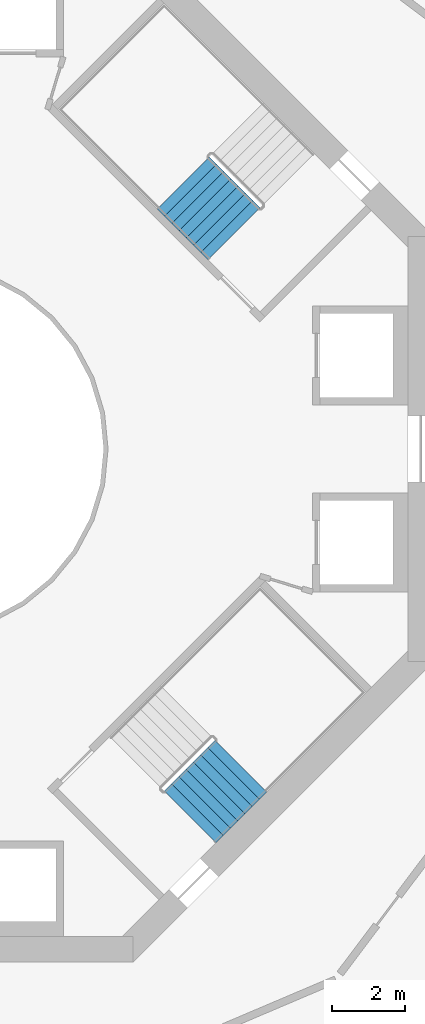
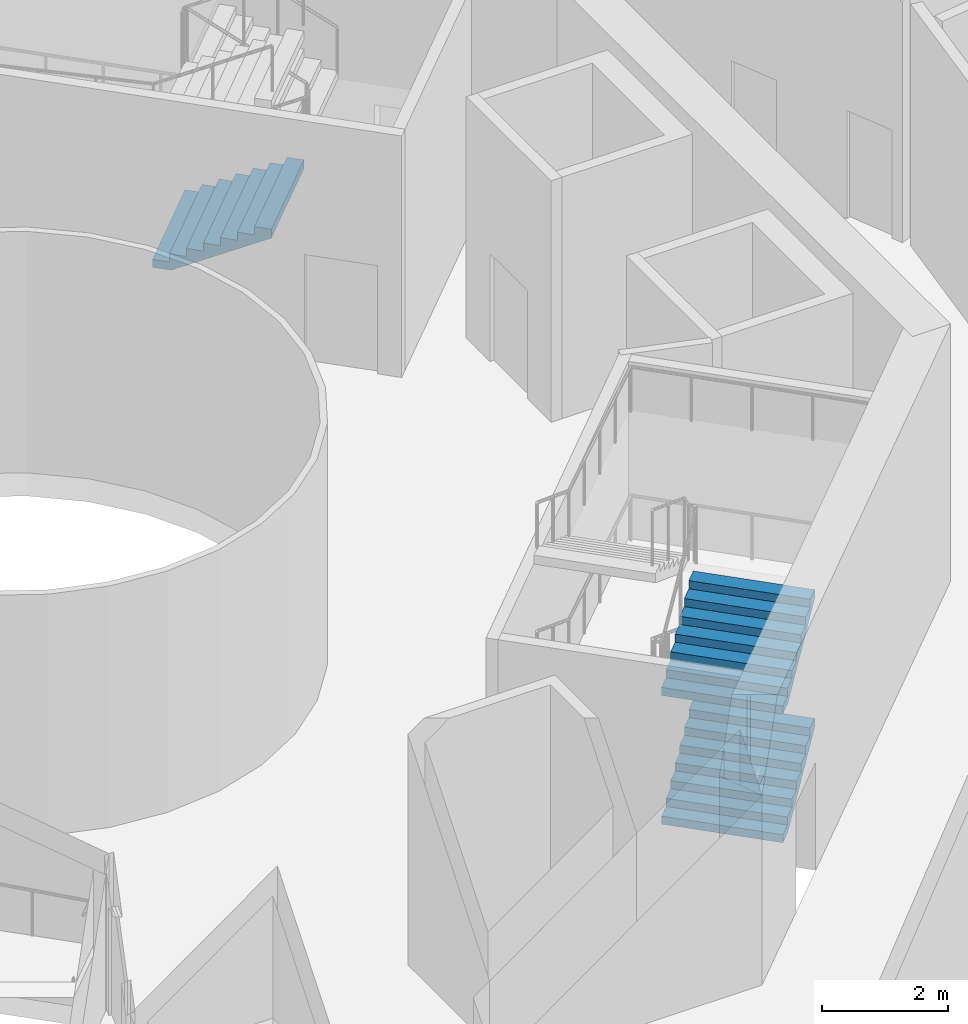
# One storey, part 14 of 17: 3 stair flights, 2 elements without a shape of their own.
"""IFC4 building model written with IfcOpenShell, lengths in metres."""

from ifc_helpers import new_model, si_unit, direction, frame, origin, place, context, subcontext, project, spatial, triangles, material, type_object, element, aggregate, save


model = new_model("IFC4")

# Units and contexts
model_context = context("Model", 3, precision=1e-05, world=origin(), true_north=direction((0.0, 1.0)))
body_context = subcontext(model_context, "Body", "Model", "MODEL_VIEW")
ifc_project = project(units=[si_unit("LENGTHUNIT", "METRE"), si_unit("AREAUNIT", "SQUARE_METRE"), si_unit("VOLUMEUNIT", "CUBIC_METRE"), si_unit("PLANEANGLEUNIT", "RADIAN"), si_unit("MASSUNIT", "GRAM", prefix="KILO")], contexts=[model_context])

# Site, building, storey
site_placement = place(None, origin())
site = spatial("IfcSite", under=ifc_project, at=site_placement, CompositionType="ELEMENT")
building_placement = place(site_placement, origin())
building = spatial("IfcBuilding", under=site, at=building_placement, Name="Verdalira Terraces Hotel", CompositionType="ELEMENT")
storey_placement = place(building_placement, frame((0.0, 0.0, 128.0)))
storey = spatial("IfcBuildingStorey", under=building, at=storey_placement, Name="L30", CompositionType="ELEMENT", Elevation=128.0)

# Stair, stair flight
ifc_material_1 = material(Name="Concrete C40", Category="concrete")
stair_type = type_object("IfcStairType", Name="Core stair 32 risers 2000 mm wide", PredefinedType="HALF_TURN_STAIR", material=ifc_material_1)
stair_1_placement = place(storey_placement, origin())
stair_1 = element("IfcStair", 1, at=stair_1_placement, inside=storey, type_object=stair_type, Name="L30 Exit stair ST1", PredefinedType="HALF_TURN_STAIR")
ifc_material_2 = material(Name="Concrete C40", Category="concrete")
stair_flight_type = type_object("IfcStairFlightType", Name="Core stair flight 32 risers 2000 mm wide", PredefinedType="STRAIGHT", material=ifc_material_2)
stair_flight_1_placement = place(storey_placement, frame((7.170166, 7.254883, 1.25), z_axis=(0.0, 0.0, 1.0), x_axis=(0.707106781, -0.707106781, 0.0)))
stair_flight_1 = element("IfcStairFlight", 2, at=stair_flight_1_placement, type_object=stair_flight_type, Name="ST1 flight 2", NumberOfRisers=8, NumberOfTreads=7, PredefinedType="STRAIGHT", RiserHeight=0.15625, TreadLength=0.28, context=body_context, shape_type="Tessellation", body=[
    triangles([(0.0, 1.0, 0.0), (0.307617, 1.0, 0.0), (1.959961, 1.0, 0.922119), (0.0, -1.0, 0.0), (0.307617, -1.0, 0.0), (1.959961, -1.0, 0.922119), (1.959961, 1.0, 1.09375), (1.679932, 1.0, 1.09375), (1.959961, -1.0, 1.09375), (1.679932, -1.0, 1.09375), (1.679932, 1.0, 0.9375), (1.679932, -1.0, 0.9375), (1.399902, 1.0, 0.9375), (1.399902, -1.0, 0.9375), (1.399902, 1.0, 0.78125), (1.399902, -1.0, 0.78125), (1.120117, 1.0, 0.78125), (1.120117, 1.0, 0.625), (1.120117, -1.0, 0.78125), (1.120117, -1.0, 0.625), (0.840088, 1.0, 0.625), (0.840088, 1.0, 0.46875), (0.840088, -1.0, 0.625), (0.840088, -1.0, 0.46875), (0.560059, 1.0, 0.46875), (0.560059, 1.0, 0.3125), (0.560059, -1.0, 0.46875), (0.560059, -1.0, 0.3125), (0.280029, 1.0, 0.3125), (0.280029, 1.0, 0.15625), (0.280029, -1.0, 0.3125), (0.280029, -1.0, 0.15625), (0.0, 1.0, 0.15625), (0.0, -1.0, 0.15625), (0.0, -0.9375, 0.0), (0.0, -0.9375, 0.15625), (0.0, -0.875, 0.0), (0.0, -0.875, 0.15625), (0.0, -0.8125, 0.0), (0.0, -0.8125, 0.15625), (0.0, -0.75, 0.0), (0.0, -0.75, 0.15625), (0.0, -0.6875, 0.0), (0.0, -0.6875, 0.15625), (0.0, -0.625, 0.0), (0.0, -0.625, 0.15625), (0.0, -0.5625, 0.0), (0.0, -0.5625, 0.15625), (0.0, -0.5, 0.0), (0.0, -0.5, 0.15625), (0.0, -0.4375, 0.0), (0.0, -0.4375, 0.15625), (0.0, -0.375, 0.0), (0.0, -0.375, 0.15625), (0.0, -0.3125, 0.0), (0.0, -0.3125, 0.15625), (0.0, -0.25, 0.0), (0.0, -0.25, 0.15625), (0.0, -0.1875, 0.0), (0.0, -0.1875, 0.15625), (0.0, -0.125, 0.0), (0.0, -0.125, 0.15625), (0.0, -0.0625, 0.0), (0.0, -0.0625, 0.15625), (0.0, 0.0, 0.0), (0.0, 0.0, 0.15625), (0.0, 0.0625, 0.0), (0.0, 0.0625, 0.15625), (0.0, 0.125, 0.0), (0.0, 0.125, 0.15625), (0.0, 0.1875, 0.0), (0.0, 0.1875, 0.15625), (0.0, 0.25, 0.0), (0.0, 0.25, 0.15625), (0.0, 0.3125, 0.0), (0.0, 0.3125, 0.15625), (0.0, 0.375, 0.0), (0.0, 0.375, 0.15625), (0.0, 0.4375, 0.0), (0.0, 0.4375, 0.15625), (0.0, 0.5, 0.0), (0.0, 0.5, 0.15625), (0.0, 0.5625, 0.0), (0.0, 0.5625, 0.15625), (0.0, 0.625, 0.0), (0.0, 0.625, 0.15625), (0.0, 0.6875, 0.0), (0.0, 0.6875, 0.15625), (0.0, 0.75, 0.0), (0.0, 0.75, 0.15625), (0.0, 0.8125, 0.0), (0.0, 0.8125, 0.15625), (0.0, 0.875, 0.0), (0.0, 0.875, 0.15625), (0.0, 0.9375, 0.0), (0.0, 0.9375, 0.15625), (1.959961, -0.9375, 1.09375), (1.959961, -0.875, 1.09375), (1.959961, -0.8125, 1.09375), (1.959961, -0.75, 1.09375), (1.959961, -0.6875, 1.09375), (1.959961, -0.625, 1.09375), (1.959961, -0.5625, 1.09375), (1.959961, -0.5, 1.09375), (1.959961, -0.4375, 1.09375), (1.959961, -0.375, 1.09375), (1.959961, -0.3125, 1.09375), (1.959961, -0.25, 1.09375), (1.959961, -0.1875, 1.09375), (1.959961, -0.125, 1.09375), (1.959961, -0.0625, 1.09375), (1.959961, 0.0, 1.09375), (1.959961, 0.0625, 1.09375), (1.959961, 0.125, 1.09375), (1.959961, 0.1875, 1.09375), (1.959961, 0.25, 1.09375), (1.959961, 0.3125, 1.09375), (1.959961, 0.375, 1.09375), (1.959961, 0.4375, 1.09375), (1.959961, 0.5, 1.09375), (1.959961, 0.5625, 1.09375), (1.959961, 0.625, 1.09375), (1.959961, 0.6875, 1.09375), (1.959961, 0.75, 1.09375), (1.959961, 0.8125, 1.09375), (1.959961, 0.875, 1.09375), (1.959961, 0.9375, 1.09375), (1.959961, -0.9375, 0.922119), (1.959961, -0.875, 0.922119), (1.959961, -0.8125, 0.922119), (1.959961, -0.75, 0.922119), (1.959961, -0.6875, 0.922119), (1.959961, -0.625, 0.922119), (1.959961, -0.5625, 0.922119), (1.959961, -0.5, 0.922119), (1.959961, -0.4375, 0.922119), (1.959961, -0.375, 0.922119), (1.959961, -0.3125, 0.922119), (1.959961, -0.25, 0.922119), (1.959961, -0.1875, 0.922119), (1.959961, -0.125, 0.922119), (1.959961, -0.0625, 0.922119), (1.959961, 0.0, 0.922119), (1.959961, 0.0625, 0.922119), (1.959961, 0.125, 0.922119), (1.959961, 0.1875, 0.922119), (1.959961, 0.25, 0.922119), (1.959961, 0.3125, 0.922119), (1.959961, 0.375, 0.922119), (1.959961, 0.4375, 0.922119), (1.959961, 0.5, 0.922119), (1.959961, 0.5625, 0.922119), (1.959961, 0.625, 0.922119), (1.959961, 0.6875, 0.922119), (1.959961, 0.75, 0.922119), (1.959961, 0.8125, 0.922119), (1.959961, 0.875, 0.922119), (1.959961, 0.9375, 0.922119)], [[1, 3, 2], [4, 5, 6], [3, 8, 7], [6, 9, 10], [3, 11, 8], [6, 10, 12], [3, 13, 11], [6, 12, 14], [3, 15, 13], [6, 14, 16], [15, 18, 17], [16, 19, 20], [3, 18, 15], [6, 16, 20], [18, 22, 21], [20, 23, 24], [3, 22, 18], [6, 20, 24], [22, 26, 25], [24, 27, 28], [3, 26, 22], [6, 24, 28], [26, 30, 29], [28, 31, 32], [3, 30, 26], [6, 28, 32], [1, 30, 3], [4, 6, 32], [30, 1, 33], [32, 34, 4], [4, 36, 35], [4, 34, 36], [35, 38, 37], [35, 36, 38], [37, 40, 39], [37, 38, 40], [39, 42, 41], [39, 40, 42], [41, 44, 43], [41, 42, 44], [43, 46, 45], [43, 44, 46], [45, 48, 47], [45, 46, 48], [47, 50, 49], [47, 48, 50], [49, 52, 51], [49, 50, 52], [51, 54, 53], [51, 52, 54], [53, 56, 55], [53, 54, 56], [55, 58, 57], [55, 56, 58], [57, 60, 59], [57, 58, 60], [59, 62, 61], [59, 60, 62], [61, 64, 63], [61, 62, 64], [63, 66, 65], [63, 64, 66], [65, 68, 67], [65, 66, 68], [67, 70, 69], [67, 68, 70], [69, 72, 71], [69, 70, 72], [71, 74, 73], [71, 72, 74], [73, 76, 75], [73, 74, 76], [75, 78, 77], [75, 76, 78], [77, 80, 79], [77, 78, 80], [79, 82, 81], [79, 80, 82], [81, 84, 83], [81, 82, 84], [83, 86, 85], [83, 84, 86], [85, 88, 87], [85, 86, 88], [87, 90, 89], [87, 88, 90], [89, 92, 91], [89, 90, 92], [91, 94, 93], [91, 92, 94], [93, 96, 95], [93, 94, 96], [95, 33, 1], [95, 96, 33], [34, 32, 36], [36, 32, 38], [38, 32, 40], [40, 32, 42], [42, 32, 44], [44, 32, 46], [46, 32, 48], [48, 32, 50], [50, 32, 52], [52, 32, 54], [54, 32, 56], [56, 32, 58], [58, 32, 60], [60, 32, 62], [62, 32, 64], [64, 32, 66], [66, 32, 68], [68, 32, 70], [70, 32, 72], [72, 32, 74], [74, 32, 76], [76, 32, 78], [78, 32, 80], [80, 32, 82], [82, 32, 84], [84, 32, 86], [86, 32, 88], [88, 32, 90], [90, 32, 92], [92, 32, 94], [94, 32, 96], [96, 32, 33], [33, 32, 30], [32, 29, 30], [32, 31, 29], [31, 26, 29], [31, 28, 26], [28, 25, 26], [28, 27, 25], [27, 22, 25], [27, 24, 22], [24, 21, 22], [24, 23, 21], [23, 18, 21], [23, 20, 18], [20, 17, 18], [20, 19, 17], [19, 15, 17], [19, 16, 15], [16, 13, 15], [16, 14, 13], [14, 11, 13], [14, 12, 11], [12, 8, 11], [12, 10, 8], [9, 97, 10], [97, 98, 10], [98, 99, 10], [99, 100, 10], [100, 101, 10], [101, 102, 10], [102, 103, 10], [103, 104, 10], [104, 105, 10], [105, 106, 10], [106, 107, 10], [107, 108, 10], [108, 109, 10], [109, 110, 10], [110, 111, 10], [111, 112, 10], [112, 113, 10], [113, 114, 10], [114, 115, 10], [115, 116, 10], [116, 117, 10], [117, 118, 10], [118, 119, 10], [119, 120, 10], [120, 121, 10], [121, 122, 10], [122, 123, 10], [123, 124, 10], [124, 125, 10], [125, 126, 10], [126, 127, 10], [127, 7, 10], [7, 8, 10], [9, 128, 97], [9, 6, 128], [97, 129, 98], [97, 128, 129], [98, 130, 99], [98, 129, 130], [99, 131, 100], [99, 130, 131], [100, 132, 101], [100, 131, 132], [101, 133, 102], [101, 132, 133], [102, 134, 103], [102, 133, 134], [103, 135, 104], [103, 134, 135], [104, 136, 105], [104, 135, 136], [105, 137, 106], [105, 136, 137], [106, 138, 107], [106, 137, 138], [107, 139, 108], [107, 138, 139], [108, 140, 109], [108, 139, 140], [109, 141, 110], [109, 140, 141], [110, 142, 111], [110, 141, 142], [111, 143, 112], [111, 142, 143], [112, 144, 113], [112, 143, 144], [113, 145, 114], [113, 144, 145], [114, 146, 115], [114, 145, 146], [115, 147, 116], [115, 146, 147], [116, 148, 117], [116, 147, 148], [117, 149, 118], [117, 148, 149], [118, 150, 119], [118, 149, 150], [119, 151, 120], [119, 150, 151], [120, 152, 121], [120, 151, 152], [121, 153, 122], [121, 152, 153], [122, 154, 123], [122, 153, 154], [123, 155, 124], [123, 154, 155], [124, 156, 125], [124, 155, 156], [125, 157, 126], [125, 156, 157], [126, 158, 127], [126, 157, 158], [127, 3, 7], [127, 158, 3], [6, 5, 128], [128, 5, 129], [129, 5, 130], [130, 5, 131], [131, 5, 132], [132, 5, 133], [133, 5, 134], [134, 5, 135], [135, 5, 136], [136, 5, 137], [137, 5, 138], [138, 5, 139], [139, 5, 140], [140, 5, 141], [141, 5, 142], [142, 5, 143], [143, 5, 144], [144, 5, 145], [145, 5, 146], [146, 5, 147], [147, 5, 148], [148, 5, 149], [149, 5, 150], [150, 5, 151], [151, 5, 152], [152, 5, 153], [153, 5, 154], [154, 5, 155], [155, 5, 156], [156, 5, 157], [157, 5, 158], [158, 5, 3], [3, 5, 2], [4, 35, 5], [35, 37, 5], [37, 39, 5], [39, 41, 5], [41, 43, 5], [43, 45, 5], [45, 47, 5], [47, 49, 5], [49, 51, 5], [51, 53, 5], [53, 55, 5], [55, 57, 5], [57, 59, 5], [59, 61, 5], [61, 63, 5], [63, 65, 5], [65, 67, 5], [67, 69, 5], [69, 71, 5], [71, 73, 5], [73, 75, 5], [75, 77, 5], [77, 79, 5], [79, 81, 5], [81, 83, 5], [83, 85, 5], [85, 87, 5], [87, 89, 5], [89, 91, 5], [91, 93, 5], [93, 95, 5], [95, 1, 5], [1, 2, 5]], closed=True),
])
aggregate(stair_1, [stair_flight_1])

# Stair, stair flights
stair_2_placement = place(storey_placement, origin())
stair_2 = element("IfcStair", 3, at=stair_2_placement, inside=storey, type_object=stair_type, Name="L30 Exit stair ST3", PredefinedType="HALF_TURN_STAIR")
stair_flight_2_placement = place(storey_placement, frame((7.354004, -10.041016, 0.0), z_axis=(0.0, 0.0, 1.0), x_axis=(0.707106781, 0.707106781, 0.0)))
stair_flight_2 = element("IfcStairFlight", 4, at=stair_flight_2_placement, type_object=stair_flight_type, Name="ST3 flight 1", NumberOfRisers=8, NumberOfTreads=7, PredefinedType="STRAIGHT", RiserHeight=0.15625, TreadLength=0.28, context=body_context, shape_type="Tessellation", body=[
    triangles([(0.0, 1.0, 0.0), (0.307617, 1.0, 0.0), (1.959961, 1.0, 0.922119), (0.0, -1.0, 0.0), (0.307617, -1.0, 0.0), (1.959961, -1.0, 0.922119), (1.959961, 1.0, 1.09375), (1.679932, 1.0, 1.09375), (1.959961, -1.0, 1.09375), (1.679932, -1.0, 1.09375), (1.679932, 1.0, 0.9375), (1.679932, -1.0, 0.9375), (1.399902, 1.0, 0.9375), (1.399902, -1.0, 0.9375), (1.399902, 1.0, 0.78125), (1.399902, -1.0, 0.78125), (1.120117, 1.0, 0.78125), (1.120117, 1.0, 0.625), (1.120117, -1.0, 0.78125), (1.120117, -1.0, 0.625), (0.840088, 1.0, 0.625), (0.840088, 1.0, 0.46875), (0.840088, -1.0, 0.625), (0.840088, -1.0, 0.46875), (0.560059, 1.0, 0.46875), (0.560059, 1.0, 0.3125), (0.560059, -1.0, 0.46875), (0.560059, -1.0, 0.3125), (0.280029, 1.0, 0.3125), (0.280029, 1.0, 0.15625), (0.280029, -1.0, 0.3125), (0.280029, -1.0, 0.15625), (0.0, 1.0, 0.15625), (0.0, -1.0, 0.15625), (0.0, -0.9375, 0.0), (0.0, -0.9375, 0.15625), (0.0, -0.875, 0.0), (0.0, -0.875, 0.15625), (0.0, -0.8125, 0.0), (0.0, -0.8125, 0.15625), (0.0, -0.75, 0.0), (0.0, -0.75, 0.15625), (0.0, -0.6875, 0.0), (0.0, -0.6875, 0.15625), (0.0, -0.625, 0.0), (0.0, -0.625, 0.15625), (0.0, -0.5625, 0.0), (0.0, -0.5625, 0.15625), (0.0, -0.5, 0.0), (0.0, -0.5, 0.15625), (0.0, -0.4375, 0.0), (0.0, -0.4375, 0.15625), (0.0, -0.375, 0.0), (0.0, -0.375, 0.15625), (0.0, -0.3125, 0.0), (0.0, -0.3125, 0.15625), (0.0, -0.25, 0.0), (0.0, -0.25, 0.15625), (0.0, -0.1875, 0.0), (0.0, -0.1875, 0.15625), (0.0, -0.125, 0.0), (0.0, -0.125, 0.15625), (0.0, -0.0625, 0.0), (0.0, -0.0625, 0.15625), (0.0, 0.0, 0.0), (0.0, 0.0, 0.15625), (0.0, 0.0625, 0.0), (0.0, 0.0625, 0.15625), (0.0, 0.125, 0.0), (0.0, 0.125, 0.15625), (0.0, 0.1875, 0.0), (0.0, 0.1875, 0.15625), (0.0, 0.25, 0.0), (0.0, 0.25, 0.15625), (0.0, 0.3125, 0.0), (0.0, 0.3125, 0.15625), (0.0, 0.375, 0.0), (0.0, 0.375, 0.15625), (0.0, 0.4375, 0.0), (0.0, 0.4375, 0.15625), (0.0, 0.5, 0.0), (0.0, 0.5, 0.15625), (0.0, 0.5625, 0.0), (0.0, 0.5625, 0.15625), (0.0, 0.625, 0.0), (0.0, 0.625, 0.15625), (0.0, 0.6875, 0.0), (0.0, 0.6875, 0.15625), (0.0, 0.75, 0.0), (0.0, 0.75, 0.15625), (0.0, 0.8125, 0.0), (0.0, 0.8125, 0.15625), (0.0, 0.875, 0.0), (0.0, 0.875, 0.15625), (0.0, 0.9375, 0.0), (0.0, 0.9375, 0.15625), (1.959961, -0.9375, 1.09375), (1.959961, -0.875, 1.09375), (1.959961, -0.8125, 1.09375), (1.959961, -0.75, 1.09375), (1.959961, -0.6875, 1.09375), (1.959961, -0.625, 1.09375), (1.959961, -0.5625, 1.09375), (1.959961, -0.5, 1.09375), (1.959961, -0.4375, 1.09375), (1.959961, -0.375, 1.09375), (1.959961, -0.3125, 1.09375), (1.959961, -0.25, 1.09375), (1.959961, -0.1875, 1.09375), (1.959961, -0.125, 1.09375), (1.959961, -0.0625, 1.09375), (1.959961, 0.0, 1.09375), (1.959961, 0.0625, 1.09375), (1.959961, 0.125, 1.09375), (1.959961, 0.1875, 1.09375), (1.959961, 0.25, 1.09375), (1.959961, 0.3125, 1.09375), (1.959961, 0.375, 1.09375), (1.959961, 0.4375, 1.09375), (1.959961, 0.5, 1.09375), (1.959961, 0.5625, 1.09375), (1.959961, 0.625, 1.09375), (1.959961, 0.6875, 1.09375), (1.959961, 0.75, 1.09375), (1.959961, 0.8125, 1.09375), (1.959961, 0.875, 1.09375), (1.959961, 0.9375, 1.09375), (1.959961, -0.9375, 0.922119), (1.959961, -0.875, 0.922119), (1.959961, -0.8125, 0.922119), (1.959961, -0.75, 0.922119), (1.959961, -0.6875, 0.922119), (1.959961, -0.625, 0.922119), (1.959961, -0.5625, 0.922119), (1.959961, -0.5, 0.922119), (1.959961, -0.4375, 0.922119), (1.959961, -0.375, 0.922119), (1.959961, -0.3125, 0.922119), (1.959961, -0.25, 0.922119), (1.959961, -0.1875, 0.922119), (1.959961, -0.125, 0.922119), (1.959961, -0.0625, 0.922119), (1.959961, 0.0, 0.922119), (1.959961, 0.0625, 0.922119), (1.959961, 0.125, 0.922119), (1.959961, 0.1875, 0.922119), (1.959961, 0.25, 0.922119), (1.959961, 0.3125, 0.922119), (1.959961, 0.375, 0.922119), (1.959961, 0.4375, 0.922119), (1.959961, 0.5, 0.922119), (1.959961, 0.5625, 0.922119), (1.959961, 0.625, 0.922119), (1.959961, 0.6875, 0.922119), (1.959961, 0.75, 0.922119), (1.959961, 0.8125, 0.922119), (1.959961, 0.875, 0.922119), (1.959961, 0.9375, 0.922119)], [[1, 3, 2], [4, 5, 6], [3, 8, 7], [6, 9, 10], [3, 11, 8], [6, 10, 12], [3, 13, 11], [6, 12, 14], [3, 15, 13], [6, 14, 16], [15, 18, 17], [16, 19, 20], [3, 18, 15], [6, 16, 20], [18, 22, 21], [20, 23, 24], [3, 22, 18], [6, 20, 24], [22, 26, 25], [24, 27, 28], [3, 26, 22], [6, 24, 28], [26, 30, 29], [28, 31, 32], [3, 30, 26], [6, 28, 32], [1, 30, 3], [4, 6, 32], [30, 1, 33], [32, 34, 4], [4, 36, 35], [4, 34, 36], [35, 38, 37], [35, 36, 38], [37, 40, 39], [37, 38, 40], [39, 42, 41], [39, 40, 42], [41, 44, 43], [41, 42, 44], [43, 46, 45], [43, 44, 46], [45, 48, 47], [45, 46, 48], [47, 50, 49], [47, 48, 50], [49, 52, 51], [49, 50, 52], [51, 54, 53], [51, 52, 54], [53, 56, 55], [53, 54, 56], [55, 58, 57], [55, 56, 58], [57, 60, 59], [57, 58, 60], [59, 62, 61], [59, 60, 62], [61, 64, 63], [61, 62, 64], [63, 66, 65], [63, 64, 66], [65, 68, 67], [65, 66, 68], [67, 70, 69], [67, 68, 70], [69, 72, 71], [69, 70, 72], [71, 74, 73], [71, 72, 74], [73, 76, 75], [73, 74, 76], [75, 78, 77], [75, 76, 78], [77, 80, 79], [77, 78, 80], [79, 82, 81], [79, 80, 82], [81, 84, 83], [81, 82, 84], [83, 86, 85], [83, 84, 86], [85, 88, 87], [85, 86, 88], [87, 90, 89], [87, 88, 90], [89, 92, 91], [89, 90, 92], [91, 94, 93], [91, 92, 94], [93, 96, 95], [93, 94, 96], [95, 33, 1], [95, 96, 33], [34, 32, 36], [36, 32, 38], [38, 32, 40], [40, 32, 42], [42, 32, 44], [44, 32, 46], [46, 32, 48], [48, 32, 50], [50, 32, 52], [52, 32, 54], [54, 32, 56], [56, 32, 58], [58, 32, 60], [60, 32, 62], [62, 32, 64], [64, 32, 66], [66, 32, 68], [68, 32, 70], [70, 32, 72], [72, 32, 74], [74, 32, 76], [76, 32, 78], [78, 32, 80], [80, 32, 82], [82, 32, 84], [84, 32, 86], [86, 32, 88], [88, 32, 90], [90, 32, 92], [92, 32, 94], [94, 32, 96], [96, 32, 33], [33, 32, 30], [32, 29, 30], [32, 31, 29], [31, 26, 29], [31, 28, 26], [28, 25, 26], [28, 27, 25], [27, 22, 25], [27, 24, 22], [24, 21, 22], [24, 23, 21], [23, 18, 21], [23, 20, 18], [20, 17, 18], [20, 19, 17], [19, 15, 17], [19, 16, 15], [16, 13, 15], [16, 14, 13], [14, 11, 13], [14, 12, 11], [12, 8, 11], [12, 10, 8], [9, 97, 10], [97, 98, 10], [98, 99, 10], [99, 100, 10], [100, 101, 10], [101, 102, 10], [102, 103, 10], [103, 104, 10], [104, 105, 10], [105, 106, 10], [106, 107, 10], [107, 108, 10], [108, 109, 10], [109, 110, 10], [110, 111, 10], [111, 112, 10], [112, 113, 10], [113, 114, 10], [114, 115, 10], [115, 116, 10], [116, 117, 10], [117, 118, 10], [118, 119, 10], [119, 120, 10], [120, 121, 10], [121, 122, 10], [122, 123, 10], [123, 124, 10], [124, 125, 10], [125, 126, 10], [126, 127, 10], [127, 7, 10], [7, 8, 10], [9, 128, 97], [9, 6, 128], [97, 129, 98], [97, 128, 129], [98, 130, 99], [98, 129, 130], [99, 131, 100], [99, 130, 131], [100, 132, 101], [100, 131, 132], [101, 133, 102], [101, 132, 133], [102, 134, 103], [102, 133, 134], [103, 135, 104], [103, 134, 135], [104, 136, 105], [104, 135, 136], [105, 137, 106], [105, 136, 137], [106, 138, 107], [106, 137, 138], [107, 139, 108], [107, 138, 139], [108, 140, 109], [108, 139, 140], [109, 141, 110], [109, 140, 141], [110, 142, 111], [110, 141, 142], [111, 143, 112], [111, 142, 143], [112, 144, 113], [112, 143, 144], [113, 145, 114], [113, 144, 145], [114, 146, 115], [114, 145, 146], [115, 147, 116], [115, 146, 147], [116, 148, 117], [116, 147, 148], [117, 149, 118], [117, 148, 149], [118, 150, 119], [118, 149, 150], [119, 151, 120], [119, 150, 151], [120, 152, 121], [120, 151, 152], [121, 153, 122], [121, 152, 153], [122, 154, 123], [122, 153, 154], [123, 155, 124], [123, 154, 155], [124, 156, 125], [124, 155, 156], [125, 157, 126], [125, 156, 157], [126, 158, 127], [126, 157, 158], [127, 3, 7], [127, 158, 3], [6, 5, 128], [128, 5, 129], [129, 5, 130], [130, 5, 131], [131, 5, 132], [132, 5, 133], [133, 5, 134], [134, 5, 135], [135, 5, 136], [136, 5, 137], [137, 5, 138], [138, 5, 139], [139, 5, 140], [140, 5, 141], [141, 5, 142], [142, 5, 143], [143, 5, 144], [144, 5, 145], [145, 5, 146], [146, 5, 147], [147, 5, 148], [148, 5, 149], [149, 5, 150], [150, 5, 151], [151, 5, 152], [152, 5, 153], [153, 5, 154], [154, 5, 155], [155, 5, 156], [156, 5, 157], [157, 5, 158], [158, 5, 3], [3, 5, 2], [4, 35, 5], [35, 37, 5], [37, 39, 5], [39, 41, 5], [41, 43, 5], [43, 45, 5], [45, 47, 5], [47, 49, 5], [49, 51, 5], [51, 53, 5], [53, 55, 5], [55, 57, 5], [57, 59, 5], [59, 61, 5], [61, 63, 5], [63, 65, 5], [65, 67, 5], [67, 69, 5], [69, 71, 5], [71, 73, 5], [73, 75, 5], [75, 77, 5], [77, 79, 5], [79, 81, 5], [81, 83, 5], [83, 85, 5], [85, 87, 5], [87, 89, 5], [89, 91, 5], [91, 93, 5], [93, 95, 5], [95, 1, 5], [1, 2, 5]], closed=True),
])
stair_flight_3_placement = place(storey_placement, frame((7.354004, -10.041016, 2.5), z_axis=(0.0, 0.0, 1.0), x_axis=(0.707106781, 0.707106781, 0.0)))
stair_flight_3 = element("IfcStairFlight", 5, at=stair_flight_3_placement, type_object=stair_flight_type, Name="ST3 flight 3", NumberOfRisers=8, NumberOfTreads=7, PredefinedType="STRAIGHT", RiserHeight=0.15625, TreadLength=0.28, context=body_context, shape_type="Tessellation", body=[
    triangles([(0.0, 1.0, 0.0), (0.307617, 1.0, 0.0), (1.959961, 1.0, 0.922119), (0.0, -1.0, 0.0), (0.307617, -1.0, 0.0), (1.959961, -1.0, 0.922119), (1.959961, 1.0, 1.09375), (1.679932, 1.0, 1.09375), (1.959961, -1.0, 1.09375), (1.679932, -1.0, 1.09375), (1.679932, 1.0, 0.9375), (1.679932, -1.0, 0.9375), (1.399902, 1.0, 0.9375), (1.399902, -1.0, 0.9375), (1.399902, 1.0, 0.78125), (1.399902, -1.0, 0.78125), (1.120117, 1.0, 0.78125), (1.120117, 1.0, 0.625), (1.120117, -1.0, 0.78125), (1.120117, -1.0, 0.625), (0.840088, 1.0, 0.625), (0.840088, 1.0, 0.46875), (0.840088, -1.0, 0.625), (0.840088, -1.0, 0.46875), (0.560059, 1.0, 0.46875), (0.560059, 1.0, 0.3125), (0.560059, -1.0, 0.46875), (0.560059, -1.0, 0.3125), (0.280029, 1.0, 0.3125), (0.280029, 1.0, 0.15625), (0.280029, -1.0, 0.3125), (0.280029, -1.0, 0.15625), (0.0, 1.0, 0.15625), (0.0, -1.0, 0.15625), (0.0, -0.9375, 0.0), (0.0, -0.9375, 0.15625), (0.0, -0.875, 0.0), (0.0, -0.875, 0.15625), (0.0, -0.8125, 0.0), (0.0, -0.8125, 0.15625), (0.0, -0.75, 0.0), (0.0, -0.75, 0.15625), (0.0, -0.6875, 0.0), (0.0, -0.6875, 0.15625), (0.0, -0.625, 0.0), (0.0, -0.625, 0.15625), (0.0, -0.5625, 0.0), (0.0, -0.5625, 0.15625), (0.0, -0.5, 0.0), (0.0, -0.5, 0.15625), (0.0, -0.4375, 0.0), (0.0, -0.4375, 0.15625), (0.0, -0.375, 0.0), (0.0, -0.375, 0.15625), (0.0, -0.3125, 0.0), (0.0, -0.3125, 0.15625), (0.0, -0.25, 0.0), (0.0, -0.25, 0.15625), (0.0, -0.1875, 0.0), (0.0, -0.1875, 0.15625), (0.0, -0.125, 0.0), (0.0, -0.125, 0.15625), (0.0, -0.0625, 0.0), (0.0, -0.0625, 0.15625), (0.0, 0.0, 0.0), (0.0, 0.0, 0.15625), (0.0, 0.0625, 0.0), (0.0, 0.0625, 0.15625), (0.0, 0.125, 0.0), (0.0, 0.125, 0.15625), (0.0, 0.1875, 0.0), (0.0, 0.1875, 0.15625), (0.0, 0.25, 0.0), (0.0, 0.25, 0.15625), (0.0, 0.3125, 0.0), (0.0, 0.3125, 0.15625), (0.0, 0.375, 0.0), (0.0, 0.375, 0.15625), (0.0, 0.4375, 0.0), (0.0, 0.4375, 0.15625), (0.0, 0.5, 0.0), (0.0, 0.5, 0.15625), (0.0, 0.5625, 0.0), (0.0, 0.5625, 0.15625), (0.0, 0.625, 0.0), (0.0, 0.625, 0.15625), (0.0, 0.6875, 0.0), (0.0, 0.6875, 0.15625), (0.0, 0.75, 0.0), (0.0, 0.75, 0.15625), (0.0, 0.8125, 0.0), (0.0, 0.8125, 0.15625), (0.0, 0.875, 0.0), (0.0, 0.875, 0.15625), (0.0, 0.9375, 0.0), (0.0, 0.9375, 0.15625), (1.959961, -0.9375, 1.09375), (1.959961, -0.875, 1.09375), (1.959961, -0.8125, 1.09375), (1.959961, -0.75, 1.09375), (1.959961, -0.6875, 1.09375), (1.959961, -0.625, 1.09375), (1.959961, -0.5625, 1.09375), (1.959961, -0.5, 1.09375), (1.959961, -0.4375, 1.09375), (1.959961, -0.375, 1.09375), (1.959961, -0.3125, 1.09375), (1.959961, -0.25, 1.09375), (1.959961, -0.1875, 1.09375), (1.959961, -0.125, 1.09375), (1.959961, -0.0625, 1.09375), (1.959961, 0.0, 1.09375), (1.959961, 0.0625, 1.09375), (1.959961, 0.125, 1.09375), (1.959961, 0.1875, 1.09375), (1.959961, 0.25, 1.09375), (1.959961, 0.3125, 1.09375), (1.959961, 0.375, 1.09375), (1.959961, 0.4375, 1.09375), (1.959961, 0.5, 1.09375), (1.959961, 0.5625, 1.09375), (1.959961, 0.625, 1.09375), (1.959961, 0.6875, 1.09375), (1.959961, 0.75, 1.09375), (1.959961, 0.8125, 1.09375), (1.959961, 0.875, 1.09375), (1.959961, 0.9375, 1.09375), (1.959961, -0.9375, 0.922119), (1.959961, -0.875, 0.922119), (1.959961, -0.8125, 0.922119), (1.959961, -0.75, 0.922119), (1.959961, -0.6875, 0.922119), (1.959961, -0.625, 0.922119), (1.959961, -0.5625, 0.922119), (1.959961, -0.5, 0.922119), (1.959961, -0.4375, 0.922119), (1.959961, -0.375, 0.922119), (1.959961, -0.3125, 0.922119), (1.959961, -0.25, 0.922119), (1.959961, -0.1875, 0.922119), (1.959961, -0.125, 0.922119), (1.959961, -0.0625, 0.922119), (1.959961, 0.0, 0.922119), (1.959961, 0.0625, 0.922119), (1.959961, 0.125, 0.922119), (1.959961, 0.1875, 0.922119), (1.959961, 0.25, 0.922119), (1.959961, 0.3125, 0.922119), (1.959961, 0.375, 0.922119), (1.959961, 0.4375, 0.922119), (1.959961, 0.5, 0.922119), (1.959961, 0.5625, 0.922119), (1.959961, 0.625, 0.922119), (1.959961, 0.6875, 0.922119), (1.959961, 0.75, 0.922119), (1.959961, 0.8125, 0.922119), (1.959961, 0.875, 0.922119), (1.959961, 0.9375, 0.922119)], [[1, 3, 2], [4, 5, 6], [3, 8, 7], [6, 9, 10], [3, 11, 8], [6, 10, 12], [3, 13, 11], [6, 12, 14], [3, 15, 13], [6, 14, 16], [15, 18, 17], [16, 19, 20], [3, 18, 15], [6, 16, 20], [18, 22, 21], [20, 23, 24], [3, 22, 18], [6, 20, 24], [22, 26, 25], [24, 27, 28], [3, 26, 22], [6, 24, 28], [26, 30, 29], [28, 31, 32], [3, 30, 26], [6, 28, 32], [1, 30, 3], [4, 6, 32], [30, 1, 33], [32, 34, 4], [4, 36, 35], [4, 34, 36], [35, 38, 37], [35, 36, 38], [37, 40, 39], [37, 38, 40], [39, 42, 41], [39, 40, 42], [41, 44, 43], [41, 42, 44], [43, 46, 45], [43, 44, 46], [45, 48, 47], [45, 46, 48], [47, 50, 49], [47, 48, 50], [49, 52, 51], [49, 50, 52], [51, 54, 53], [51, 52, 54], [53, 56, 55], [53, 54, 56], [55, 58, 57], [55, 56, 58], [57, 60, 59], [57, 58, 60], [59, 62, 61], [59, 60, 62], [61, 64, 63], [61, 62, 64], [63, 66, 65], [63, 64, 66], [65, 68, 67], [65, 66, 68], [67, 70, 69], [67, 68, 70], [69, 72, 71], [69, 70, 72], [71, 74, 73], [71, 72, 74], [73, 76, 75], [73, 74, 76], [75, 78, 77], [75, 76, 78], [77, 80, 79], [77, 78, 80], [79, 82, 81], [79, 80, 82], [81, 84, 83], [81, 82, 84], [83, 86, 85], [83, 84, 86], [85, 88, 87], [85, 86, 88], [87, 90, 89], [87, 88, 90], [89, 92, 91], [89, 90, 92], [91, 94, 93], [91, 92, 94], [93, 96, 95], [93, 94, 96], [95, 33, 1], [95, 96, 33], [34, 32, 36], [36, 32, 38], [38, 32, 40], [40, 32, 42], [42, 32, 44], [44, 32, 46], [46, 32, 48], [48, 32, 50], [50, 32, 52], [52, 32, 54], [54, 32, 56], [56, 32, 58], [58, 32, 60], [60, 32, 62], [62, 32, 64], [64, 32, 66], [66, 32, 68], [68, 32, 70], [70, 32, 72], [72, 32, 74], [74, 32, 76], [76, 32, 78], [78, 32, 80], [80, 32, 82], [82, 32, 84], [84, 32, 86], [86, 32, 88], [88, 32, 90], [90, 32, 92], [92, 32, 94], [94, 32, 96], [96, 32, 33], [33, 32, 30], [32, 29, 30], [32, 31, 29], [31, 26, 29], [31, 28, 26], [28, 25, 26], [28, 27, 25], [27, 22, 25], [27, 24, 22], [24, 21, 22], [24, 23, 21], [23, 18, 21], [23, 20, 18], [20, 17, 18], [20, 19, 17], [19, 15, 17], [19, 16, 15], [16, 13, 15], [16, 14, 13], [14, 11, 13], [14, 12, 11], [12, 8, 11], [12, 10, 8], [9, 97, 10], [97, 98, 10], [98, 99, 10], [99, 100, 10], [100, 101, 10], [101, 102, 10], [102, 103, 10], [103, 104, 10], [104, 105, 10], [105, 106, 10], [106, 107, 10], [107, 108, 10], [108, 109, 10], [109, 110, 10], [110, 111, 10], [111, 112, 10], [112, 113, 10], [113, 114, 10], [114, 115, 10], [115, 116, 10], [116, 117, 10], [117, 118, 10], [118, 119, 10], [119, 120, 10], [120, 121, 10], [121, 122, 10], [122, 123, 10], [123, 124, 10], [124, 125, 10], [125, 126, 10], [126, 127, 10], [127, 7, 10], [7, 8, 10], [9, 128, 97], [9, 6, 128], [97, 129, 98], [97, 128, 129], [98, 130, 99], [98, 129, 130], [99, 131, 100], [99, 130, 131], [100, 132, 101], [100, 131, 132], [101, 133, 102], [101, 132, 133], [102, 134, 103], [102, 133, 134], [103, 135, 104], [103, 134, 135], [104, 136, 105], [104, 135, 136], [105, 137, 106], [105, 136, 137], [106, 138, 107], [106, 137, 138], [107, 139, 108], [107, 138, 139], [108, 140, 109], [108, 139, 140], [109, 141, 110], [109, 140, 141], [110, 142, 111], [110, 141, 142], [111, 143, 112], [111, 142, 143], [112, 144, 113], [112, 143, 144], [113, 145, 114], [113, 144, 145], [114, 146, 115], [114, 145, 146], [115, 147, 116], [115, 146, 147], [116, 148, 117], [116, 147, 148], [117, 149, 118], [117, 148, 149], [118, 150, 119], [118, 149, 150], [119, 151, 120], [119, 150, 151], [120, 152, 121], [120, 151, 152], [121, 153, 122], [121, 152, 153], [122, 154, 123], [122, 153, 154], [123, 155, 124], [123, 154, 155], [124, 156, 125], [124, 155, 156], [125, 157, 126], [125, 156, 157], [126, 158, 127], [126, 157, 158], [127, 3, 7], [127, 158, 3], [6, 5, 128], [128, 5, 129], [129, 5, 130], [130, 5, 131], [131, 5, 132], [132, 5, 133], [133, 5, 134], [134, 5, 135], [135, 5, 136], [136, 5, 137], [137, 5, 138], [138, 5, 139], [139, 5, 140], [140, 5, 141], [141, 5, 142], [142, 5, 143], [143, 5, 144], [144, 5, 145], [145, 5, 146], [146, 5, 147], [147, 5, 148], [148, 5, 149], [149, 5, 150], [150, 5, 151], [151, 5, 152], [152, 5, 153], [153, 5, 154], [154, 5, 155], [155, 5, 156], [156, 5, 157], [157, 5, 158], [158, 5, 3], [3, 5, 2], [4, 35, 5], [35, 37, 5], [37, 39, 5], [39, 41, 5], [41, 43, 5], [43, 45, 5], [45, 47, 5], [47, 49, 5], [49, 51, 5], [51, 53, 5], [53, 55, 5], [55, 57, 5], [57, 59, 5], [59, 61, 5], [61, 63, 5], [63, 65, 5], [65, 67, 5], [67, 69, 5], [69, 71, 5], [71, 73, 5], [73, 75, 5], [75, 77, 5], [77, 79, 5], [79, 81, 5], [81, 83, 5], [83, 85, 5], [85, 87, 5], [87, 89, 5], [89, 91, 5], [91, 93, 5], [93, 95, 5], [95, 1, 5], [1, 2, 5]], closed=True),
])
aggregate(stair_2, [stair_flight_2, stair_flight_3])

save(model, "model.ifc")
